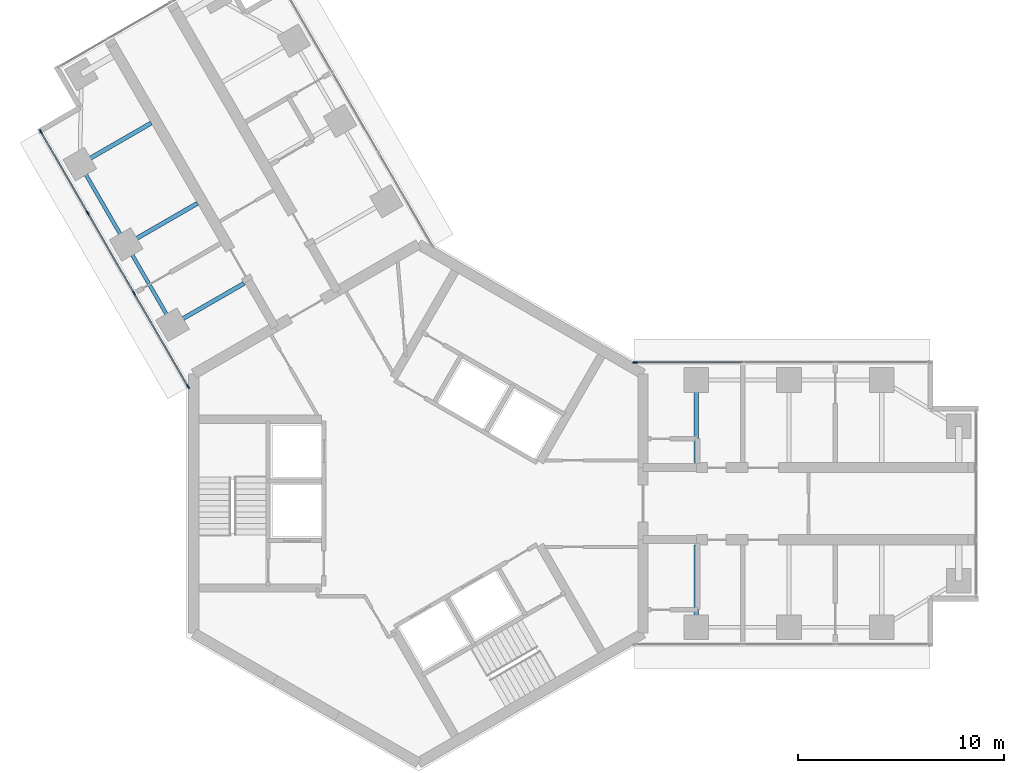
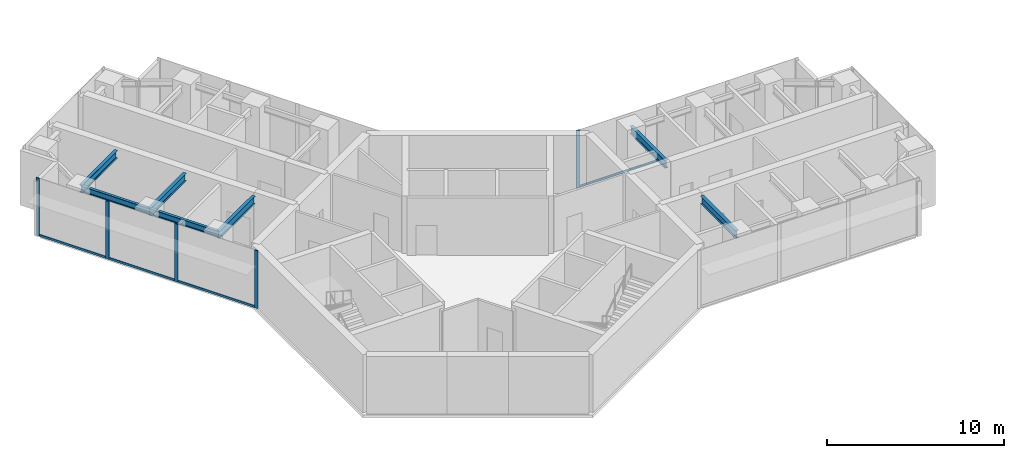
# One storey, part 5 of 17: 9 members, 7 beams, 2 elements without a shape of their own.
"""IFC4 building model written with IfcOpenShell, lengths in metres."""

from ifc_helpers import new_model, si_unit, direction, frame, origin, origin_2d, place, context, subcontext, project, spatial, rectangle, i_section, extrude, material, material_profile, profile_set, type_object, element, aggregate, save


model = new_model("IFC4")

# Units and contexts
model_context = context("Model", 3, precision=1e-05, world=origin(), true_north=direction((0.0, 1.0)))
body_context = subcontext(model_context, "Body", "Model", "MODEL_VIEW")
ifc_project = project(units=[si_unit("LENGTHUNIT", "METRE"), si_unit("AREAUNIT", "SQUARE_METRE"), si_unit("VOLUMEUNIT", "CUBIC_METRE"), si_unit("PLANEANGLEUNIT", "RADIAN"), si_unit("MASSUNIT", "GRAM", prefix="KILO")], contexts=[model_context])

# Site, building, storey
site_placement = place(None, origin())
site = spatial("IfcSite", under=ifc_project, at=site_placement, CompositionType="ELEMENT")
building_placement = place(site_placement, origin())
building = spatial("IfcBuilding", under=site, at=building_placement, Name="Upepo Twin Towers", CompositionType="ELEMENT")
storey_placement = place(building_placement, frame((0.0, 0.0, 186.5)))
storey = spatial("IfcBuildingStorey", under=building, at=storey_placement, Name="L45", CompositionType="ELEMENT", Elevation=186.5)

# Beams
ifc_material_1 = material(Name="Steel S355", Category="steel")
ifc_material_profile_1 = material_profile(ifc_material_1, i_section(OverallWidth=0.177978515625, OverallDepth=0.406494140625, WebThickness=0.0078125, FlangeThickness=0.0126953125, FilletRadius=0.01025390625, at=origin_2d()), Name="UB 406x178x60")
ifc_profile_set_1 = profile_set([ifc_material_profile_1], Name="Steel S355")
beam_type_1 = type_object("IfcBeamType", Name="Beam UB 406x178x60", PredefinedType="BEAM", material=ifc_profile_set_1)
beam_1_placement = place(storey_placement, frame((-11.946044921875, 8.69140625, 3.5966796875), z_axis=(-0.500013631625, 0.866017533419, 0.0), x_axis=(-0.866017533419, -0.500013631625, 0.0)))
element("IfcBeam", 1, at=beam_1_placement, inside=storey, type_object=beam_type_1, Name="T1 edge beam BL 13.5-18.0", PredefinedType="BEAM", context=body_context, shape_type="SweptSolid", body=[
    extrude(i_section(OverallWidth=0.177978515625, OverallDepth=0.406494140625, WebThickness=0.0078125, FlangeThickness=0.0126953125, FilletRadius=0.01025390625, at=origin_2d()), origin(), (0.0, 0.0, 1.0), 4.499755859375),
])
beam_2_placement = place(storey_placement, frame((-14.196044921875, 12.58837890625, 3.5966796875), z_axis=(-0.499990139034, 0.866031096941, 0.0), x_axis=(-0.866031096941, -0.499990139034, 0.0)))
element("IfcBeam", 2, at=beam_2_placement, inside=storey, type_object=beam_type_1, Name="T1 edge beam BL 18.0-22.5", PredefinedType="BEAM", context=body_context, shape_type="SweptSolid", body=[
    extrude(i_section(OverallWidth=0.177978515625, OverallDepth=0.406494140625, WebThickness=0.0078125, FlangeThickness=0.0126953125, FilletRadius=0.01025390625, at=origin_2d()), origin(), (0.0, 0.0, 1.0), 4.5),
])
ifc_material_2 = material(Name="Steel S355", Category="steel")
ifc_material_profile_2 = material_profile(ifc_material_2, i_section(OverallWidth=0.209228515625, OverallDepth=0.533203125, WebThickness=0.010009765625, FlangeThickness=0.015625, FilletRadius=0.0126953125, at=origin_2d()), Name="UB 533x210x92")
ifc_profile_set_2 = profile_set([ifc_material_profile_2], Name="Steel S355")
beam_type_2 = type_object("IfcBeamType", Name="Beam UB 533x210x92", PredefinedType="BEAM", material=ifc_profile_set_2)
for number, where, z_axis, x_axis, name in (
    (3, (13.5, 6.0, 3.533447265625), (0.0, -1.0, 0.0), (1.0, 0.0, 0.0), "T1 girder AL at 13.5"),
    (4, (13.5, -6.0, 3.533447265625), (0.0, 1.0, 0.0), (-1.0, 0.0, 0.0), "T1 girder AR at 13.5"),
    (5, (-11.946044921875, 8.69140625, 3.533447265625), (0.866026010844, 0.49999894854, 0.0), (-0.49999894854, 0.866026010844, 0.0), "T1 girder BL at 13.5"),
    (6, (-14.196044921875, 12.58837890625, 3.533447265625), (0.866026010844, 0.49999894854, 0.0), (-0.49999894854, 0.866026010844, 0.0), "T1 girder BL at 18.0"),
    (7, (-16.446044921875, 16.485595703125, 3.533447265625), (0.866026010844, 0.49999894854, 0.0), (-0.49999894854, 0.866026010844, 0.0), "T1 girder BL at 22.5"),
):
    element("IfcBeam", number, at=place(storey_placement, frame(where, z_axis=z_axis, x_axis=x_axis)), inside=storey, type_object=beam_type_2, Name=name, PredefinedType="BEAM", context=body_context, shape_type="SweptSolid", body=[
        extrude(i_section(OverallWidth=0.209228515625, OverallDepth=0.533203125, WebThickness=0.010009765625, FlangeThickness=0.015625, FilletRadius=0.0126953125, at=origin_2d()), origin(), (0.0, 0.0, 1.0), 4.0),
    ])

# Curtain wall, member
ifc_material_3 = material(Name="Aluminium and fritted glass", Category="aluminium")
curtain_wall_type = type_object("IfcCurtainWallType", Name="Tower curtain wall TW3, fritted glass", PredefinedType="NOTDEFINED", material=ifc_material_3)
curtain_wall_1_placement = place(storey_placement, origin())
curtain_wall_1 = element("IfcCurtainWall", 8, at=curtain_wall_1_placement, inside=storey, type_object=curtain_wall_type, Name="T1 L45 wing A flank L curtain wall", PredefinedType="NOTDEFINED")
ifc_material_4 = material(Name="Aluminium mullion", Category="aluminium")
ifc_material_profile_3 = material_profile(ifc_material_4, rectangle(XDim=0.06494140625, YDim=0.22509765625, at=origin_2d()), Name="MULLION 65x225")
ifc_profile_set_3 = profile_set([ifc_material_profile_3], Name="Aluminium mullion")
member_type_1 = type_object("IfcMemberType", Name="Mullion 65x225 TW3", PredefinedType="MULLION", material=ifc_profile_set_3)
member_1_placement = place(storey_placement, frame((10.51953125, 6.85009765625, 0.0), z_axis=(0.0, 0.0, 1.0), x_axis=(0.0, 1.0, 0.0)))
member_1 = element("IfcMember", 9, at=member_1_placement, type_object=member_type_1, Name="T1 L45 wing A flank L curtain wall mullion 1", PredefinedType="MULLION", context=body_context, shape_type="SweptSolid", body=[
    extrude(rectangle(XDim=0.06494140625, YDim=0.22509765625, at=origin_2d()), origin(), (0.0, 0.0, 1.0), 4.0),
])

# Curtain wall, members
curtain_wall_2_placement = place(storey_placement, origin())
curtain_wall_2 = element("IfcCurtainWall", 10, at=curtain_wall_2_placement, inside=storey, type_object=curtain_wall_type, Name="T1 L45 wing B flank L curtain wall", PredefinedType="NOTDEFINED")
member_2_placement = place(storey_placement, frame((-11.192138671875, 5.685302734375, 0.0), z_axis=(0.0, 0.0, 1.0), x_axis=(-0.866025388469, -0.500000026527, 0.0)))
member_2 = element("IfcMember", 11, at=member_2_placement, type_object=member_type_1, Name="T1 L45 wing B flank L curtain wall mullion 1", PredefinedType="MULLION", context=body_context, shape_type="SweptSolid", body=[
    extrude(rectangle(XDim=0.06494140625, YDim=0.22509765625, at=origin_2d()), origin(), (0.0, 0.0, 1.0), 4.0),
])
member_3_placement = place(storey_placement, frame((-13.807373046875, 10.21484375, 0.0), z_axis=(0.0, 0.0, 1.0), x_axis=(-0.866025388469, -0.500000026527, 0.0)))
member_3 = element("IfcMember", 12, at=member_3_placement, type_object=member_type_1, Name="T1 L45 wing B flank L curtain wall mullion 2", PredefinedType="MULLION", context=body_context, shape_type="SweptSolid", body=[
    extrude(rectangle(XDim=0.06494140625, YDim=0.22509765625, at=origin_2d()), origin(), (0.0, 0.0, 1.0), 4.0),
])
member_4_placement = place(storey_placement, frame((-16.057373046875, 14.112060546875, 0.0), z_axis=(0.0, 0.0, 1.0), x_axis=(-0.866025388469, -0.500000026527, 0.0)))
member_4 = element("IfcMember", 13, at=member_4_placement, type_object=member_type_1, Name="T1 L45 wing B flank L curtain wall mullion 3", PredefinedType="MULLION", context=body_context, shape_type="SweptSolid", body=[
    extrude(rectangle(XDim=0.06494140625, YDim=0.22509765625, at=origin_2d()), origin(), (0.0, 0.0, 1.0), 4.0),
])
member_5_placement = place(storey_placement, frame((-18.341064453125, 18.067626953125, 0.0), z_axis=(0.0, 0.0, 1.0), x_axis=(-0.866025388469, -0.500000026527, 0.0)))
member_5 = element("IfcMember", 14, at=member_5_placement, type_object=member_type_1, Name="T1 L45 wing B flank L curtain wall mullion 4", PredefinedType="MULLION", context=body_context, shape_type="SweptSolid", body=[
    extrude(rectangle(XDim=0.06494140625, YDim=0.22509765625, at=origin_2d()), origin(), (0.0, 0.0, 1.0), 4.0),
])

# Member
ifc_material_5 = material(Name="Aluminium transom", Category="aluminium")
ifc_material_profile_4 = material_profile(ifc_material_5, rectangle(XDim=0.06494140625, YDim=0.14990234375, at=origin_2d()), Name="TRANSOM 65x150")
ifc_profile_set_4 = profile_set([ifc_material_profile_4], Name="Aluminium transom")
member_type_2 = type_object("IfcMemberType", Name="Transom 65x150 TW3", PredefinedType="USERDEFINED", material=ifc_profile_set_4)
member_6_placement = place(storey_placement, frame((10.552001953125, 6.85009765625, 0.074951171875), z_axis=(1.0, 0.0, 0.0), x_axis=(0.0, 1.0, 0.0)))
member_6 = element("IfcMember", 15, at=member_6_placement, type_object=member_type_2, Name="T1 L45 wing A flank L curtain wall transom 1", ObjectType="TRANSOM", PredefinedType="USERDEFINED", context=body_context, shape_type="SweptSolid", body=[
    extrude(rectangle(XDim=0.06494140625, YDim=0.14990234375, at=origin_2d()), origin(), (0.0, 0.0, 1.0), 5.16552734375),
])

aggregate(curtain_wall_1, [member_1, member_6])

member_7_placement = place(storey_placement, frame((-11.208251953125, 5.71337890625, 0.074951171875), z_axis=(-0.500007480159, 0.86602108507, 0.0), x_axis=(-0.86602108507, -0.500007480159, 0.0)))
member_7 = element("IfcMember", 16, at=member_7_placement, type_object=member_type_2, Name="T1 L45 wing B flank L curtain wall transom 1", ObjectType="TRANSOM", PredefinedType="USERDEFINED", context=body_context, shape_type="SweptSolid", body=[
    extrude(rectangle(XDim=0.06494140625, YDim=0.14990234375, at=origin_2d()), origin(), (0.0, 0.0, 1.0), 5.16552734375),
])

member_8_placement = place(storey_placement, frame((-13.823486328125, 10.2431640625, 0.074951171875), z_axis=(-0.500005184116, 0.866022410713, 0.0), x_axis=(-0.866022410713, -0.500005184116, 0.0)))
member_8 = element("IfcMember", 17, at=member_8_placement, type_object=member_type_2, Name="T1 L45 wing B flank L curtain wall transom 2", ObjectType="TRANSOM", PredefinedType="USERDEFINED", context=body_context, shape_type="SweptSolid", body=[
    extrude(rectangle(XDim=0.06494140625, YDim=0.14990234375, at=origin_2d()), origin(), (0.0, 0.0, 1.0), 4.43505859375),
])

member_9_placement = place(storey_placement, frame((-16.073486328125, 14.14013671875, 0.074951171875), z_axis=(-0.499982167615, 0.866035699072, 0.0), x_axis=(-0.866035699072, -0.499982167615, 0.0)))
member_9 = element("IfcMember", 18, at=member_9_placement, type_object=member_type_2, Name="T1 L45 wing B flank L curtain wall transom 3", ObjectType="TRANSOM", PredefinedType="USERDEFINED", context=body_context, shape_type="SweptSolid", body=[
    extrude(rectangle(XDim=0.06494140625, YDim=0.14990234375, at=origin_2d()), origin(), (0.0, 0.0, 1.0), 4.502685546875),
])

aggregate(curtain_wall_2, [member_2, member_3, member_4, member_5, member_7, member_8, member_9])

save(model, "model.ifc")
